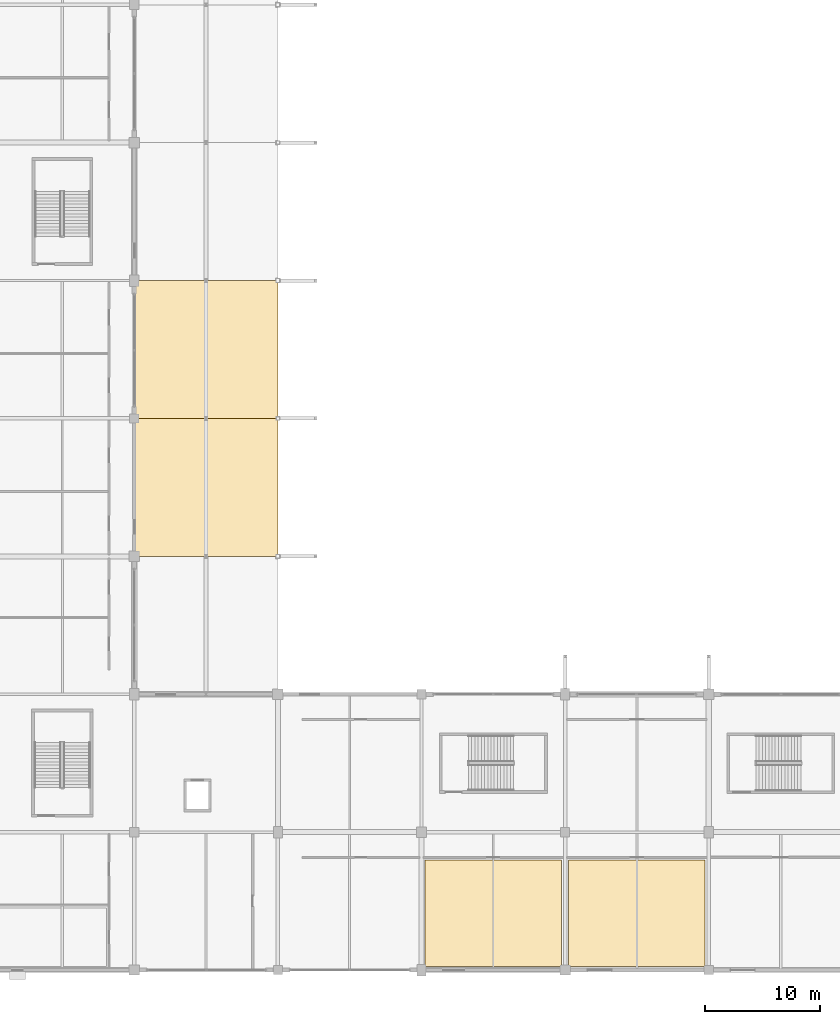
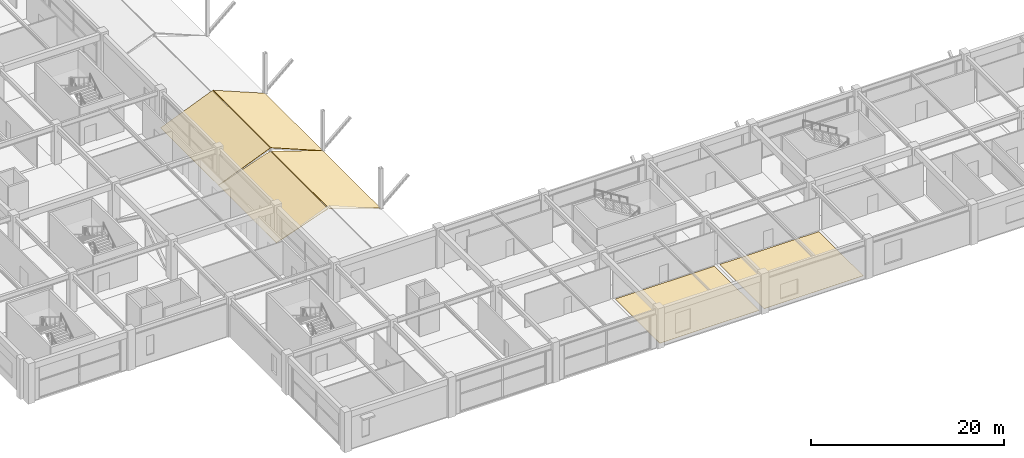
# One storey, part 91 of 116: 6 coverings.
"""IFC4 building model written with IfcOpenShell, lengths in metres."""

from ifc_helpers import new_model, si_unit, direction, frame, origin, place, context, subcontext, project, spatial, polyline, outline, extrude, material, layer, layer_set, type_object, element, save


model = new_model("IFC4")

# Units and contexts
model_context = context("Model", 3, precision=1e-05, world=origin(), true_north=direction((0.0, 1.0)))
body_context = subcontext(model_context, "Body", "Model", "MODEL_VIEW")
ifc_project = project(units=[si_unit("LENGTHUNIT", "METRE"), si_unit("AREAUNIT", "SQUARE_METRE"), si_unit("VOLUMEUNIT", "CUBIC_METRE"), si_unit("PLANEANGLEUNIT", "RADIAN"), si_unit("MASSUNIT", "GRAM", prefix="KILO")], contexts=[model_context])

# Site, building, storey
site_placement = place(None, origin())
site = spatial("IfcSite", under=ifc_project, at=site_placement, CompositionType="ELEMENT")
building_placement = place(site_placement, origin())
building = spatial("IfcBuilding", under=site, at=building_placement, Name="Kazenohara Klinker Stadium", CompositionType="ELEMENT")
storey_placement = place(building_placement, frame((0.0, 0.0, 10.199951171875)))
storey = spatial("IfcBuildingStorey", under=building, at=storey_placement, Name="L02", CompositionType="ELEMENT", Elevation=10.199951171875)

# Coverings
ifc_material_1 = material(Name="Slip-resistant honed basalt terrazzo flooring", Category="masonry")
ifc_layer_1 = layer(ifc_material_1, 0.02001953125)
ifc_layer_set_1 = layer_set([ifc_layer_1], Name="Slip-resistant honed basalt terrazzo flooring")
covering_type_1 = type_object("IfcCoveringType", Name="COV-FLR-01", PredefinedType="FLOORING", material=ifc_layer_set_1)
covering_1_placement = place(storey_placement, origin())
element("IfcCovering", 1, at=covering_1_placement, inside=storey, type_object=covering_type_1, Name="Interior floor finish FL01 Sapporo Autumn Banquet Hall L02-0501A", PredefinedType="FLOORING", context=body_context, shape_type="SweptSolid", body=[
    extrude(outline(polyline([(61.81005859375, 12.330078125), (73.68994140625, 12.330078125), (73.68994140625, 21.570068359375), (61.81005859375, 21.570068359375), (61.81005859375, 12.330078125)])), origin(), (0.0, 0.0, 1.0), 0.02001953125),
])
ifc_material_2 = material(Name="Cushioned EPDM sports rubber flooring", Category="rubber")
ifc_layer_2 = layer(ifc_material_2, 0.014892578125)
ifc_layer_set_2 = layer_set([ifc_layer_2], Name="Cushioned EPDM sports rubber flooring")
covering_type_2 = type_object("IfcCoveringType", Name="COV-FLR-02", PredefinedType="FLOORING", material=ifc_layer_set_2)
covering_2_placement = place(storey_placement, origin())
element("IfcCovering", 2, at=covering_2_placement, inside=storey, type_object=covering_type_2, Name="Interior floor finish FL02 Hospitality Culinary Catering Kitchen L02-0601A", PredefinedType="FLOORING", context=body_context, shape_type="SweptSolid", body=[
    extrude(outline(polyline([(74.31005859375, 12.330078125), (86.18994140625, 12.330078125), (86.18994140625, 21.570068359375), (74.31005859375, 21.570068359375), (74.31005859375, 12.330078125)])), origin(), (0.0, 0.0, 1.0), 0.01513671875),
])
ifc_material_3 = material(Name="Insulated standing-seam copper roofing", Category="metal")
ifc_layer_3 = layer(ifc_material_3, 0.050048828125)
ifc_layer_set_3 = layer_set([ifc_layer_3], Name="Insulated standing-seam copper roofing")
covering_type_3 = type_object("IfcCoveringType", Name="COV-ROOF-01", PredefinedType="ROOFING", material=ifc_layer_set_3)
for number, where, z_axis, x_axis, name in (
    (3, (36.5, 48.0, -0.030029296875), (-0.327656136105, 0.0, 0.944797045123), (0.944797045123, 0.0, 0.327656136105), "Standing-seam copper stepped wing roofing L02-A 4/E"),
    (4, (42.800048828125, 48.0, 2.1201171875), (0.327656136105, 0.0, 0.944797045123), (0.944797045123, 0.0, -0.327656136105), "Standing-seam copper stepped wing roofing L02-B 4/E"),
):
    element("IfcCovering", number, at=place(storey_placement, frame(where, z_axis=z_axis, x_axis=x_axis)), inside=storey, type_object=covering_type_3, Name=name, PredefinedType="ROOFING", context=body_context, shape_type="SweptSolid", body=[
        extrude(outline(polyline([(0.0, 0.0), (6.562204236223097, 0.0), (6.562204236223097, 12.0), (0.0, 12.0), (0.0, 0.0)])), origin(), (0.0, 0.0, -1.0), 0.050048828125),
    ])
for number, where, z_axis, x_axis, name in (
    (5, (36.5, 60.0, -0.030029296875), (-0.380383442935, 0.0, 0.924828868678), (0.924828868678, 0.0, 0.380383442935), "Standing-seam copper stepped wing roofing L02-A 4/F"),
    (6, (42.800048828125, 60.0, 2.52001953125), (0.380383442935, 0.0, 0.924828868678), (0.924828868678, 0.0, -0.380383442935), "Standing-seam copper stepped wing roofing L02-B 4/F"),
):
    element("IfcCovering", number, at=place(storey_placement, frame(where, z_axis=z_axis, x_axis=x_axis)), inside=storey, type_object=covering_type_3, Name=name, PredefinedType="ROOFING", context=body_context, shape_type="SweptSolid", body=[
        extrude(outline(polyline([(0.0, 0.0), (6.703890181040846, 0.0), (6.703890181040846, 12.0), (0.0, 12.0), (0.0, 0.0)])), origin(), (0.0, 0.0, -1.0), 0.050048828125),
    ])

save(model, "model.ifc")
